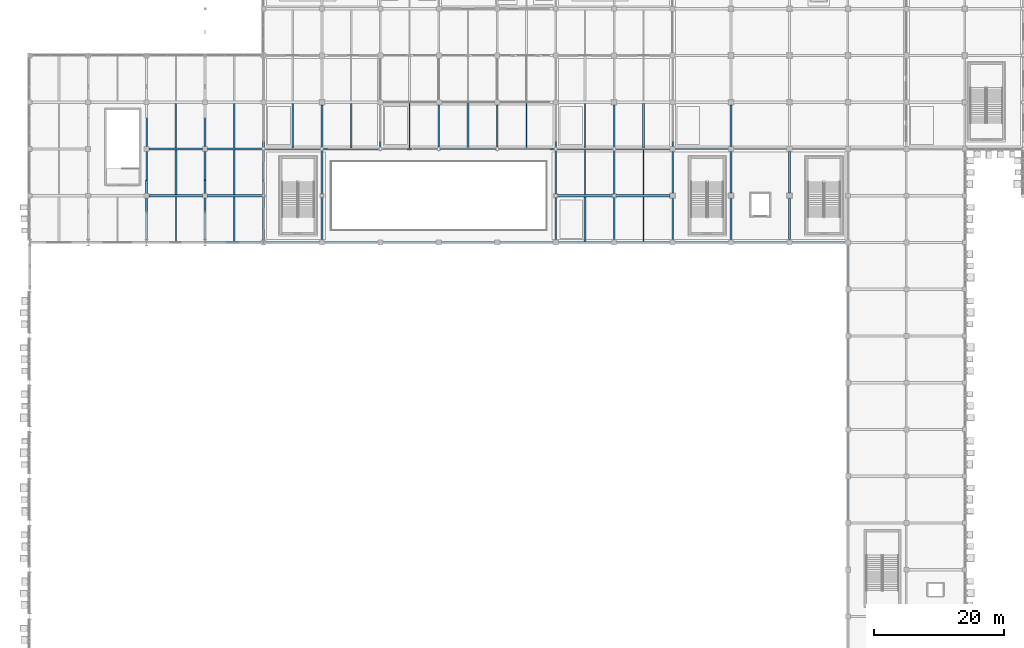
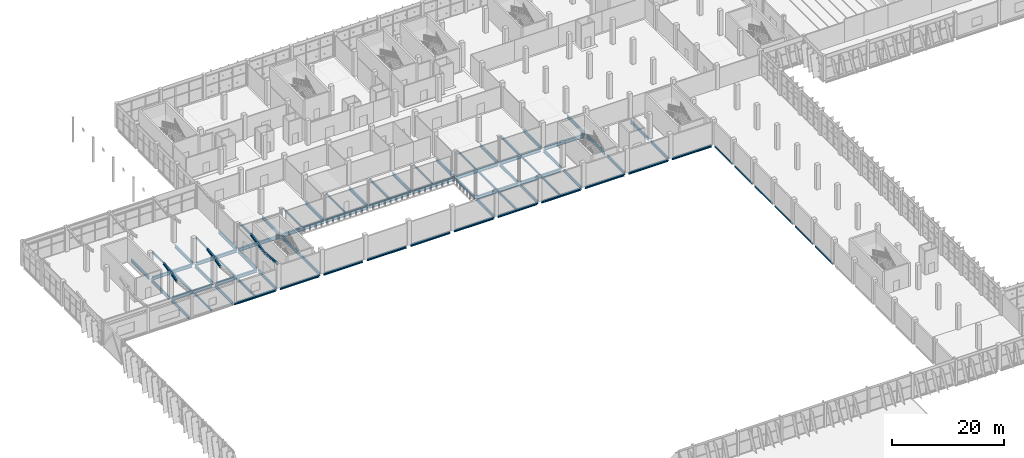
# One storey, part 40 of 189: 77 beams, 4 members.
"""IFC4 building model written with IfcOpenShell, lengths in metres."""

from ifc_helpers import new_model, si_unit, direction, frame, origin, origin_2d, place, context, subcontext, project, spatial, hollow_rectangle, i_section, extrude, material, material_profile, profile_set, type_object, element, save


model = new_model("IFC4")

# Units and contexts
model_context = context("Model", 3, precision=1e-05, world=origin(), true_north=direction((0.0, 1.0)))
body_context = subcontext(model_context, "Body", "Model", "MODEL_VIEW")
ifc_project = project(units=[si_unit("LENGTHUNIT", "METRE"), si_unit("AREAUNIT", "SQUARE_METRE"), si_unit("VOLUMEUNIT", "CUBIC_METRE"), si_unit("PLANEANGLEUNIT", "RADIAN"), si_unit("MASSUNIT", "GRAM", prefix="KILO")], contexts=[model_context])

# Site, building, storey
site_placement = place(None, origin())
site = spatial("IfcSite", under=ifc_project, at=site_placement, CompositionType="ELEMENT")
building_placement = place(site_placement, origin())
building = spatial("IfcBuilding", under=site, at=building_placement, Name="Celestram Park Convention Centre", CompositionType="ELEMENT")
storey_placement = place(building_placement, frame((0.0, 0.0, 5.39990234375)))
storey = spatial("IfcBuildingStorey", under=building, at=storey_placement, Name="L01", CompositionType="ELEMENT", Elevation=5.39990234375)

# Beams
ifc_material_1 = material(Name="Steel ASTM A992 Grade 50", Category="steel")
ifc_material_profile_1 = material_profile(ifc_material_1, i_section(OverallWidth=0.35595703125, OverallDepth=0.696044921875, WebThickness=0.015380859375, FlangeThickness=0.02490234375, at=origin_2d()), Name="W27X146")
ifc_profile_set_1 = profile_set([ifc_material_profile_1], Name="Steel ASTM A992 Grade 50")
beam_type_1 = type_object("IfcBeamType", Name="STR-BM-W27X146", PredefinedType="BEAM", material=ifc_profile_set_1)
for number, where, z_axis, x_axis, name in (
    (1, (18.39794921875, 115.199951171875, -0.6279296875), (1.0, 0.0, 0.0), (0.0, 1.0, 0.0), "Primary X-girder BG-L01-0020"),
    (2, (18.39794921875, 122.39990234375, -0.6279296875), (1.0, 0.0, 0.0), (0.0, 1.0, 0.0), "Primary X-girder BG-L01-0022"),
):
    element("IfcBeam", number, at=place(storey_placement, frame(where, z_axis=z_axis, x_axis=x_axis)), inside=storey, type_object=beam_type_1, Name=name, PredefinedType="BEAM", context=body_context, shape_type="SweptSolid", body=[
        extrude(i_section(OverallWidth=0.35595703125, OverallDepth=0.696044921875, WebThickness=0.015380859375, FlangeThickness=0.02490234375, at=origin_2d()), origin(), (0.0, 0.0, 1.0), 8.2041015625),
    ])
for number, where, z_axis, x_axis, name in (
    (3, (27.39794921875, 115.199951171875, -0.6279296875), (1.0, 0.0, 0.0), (0.0, 1.0, 0.0), "Primary X-girder BG-L01-0029"),
    (4, (27.39794921875, 122.39990234375, -0.6279296875), (1.0, 0.0, 0.0), (0.0, 1.0, 0.0), "Primary X-girder BG-L01-0031"),
):
    element("IfcBeam", number, at=place(storey_placement, frame(where, z_axis=z_axis, x_axis=x_axis)), inside=storey, type_object=beam_type_1, Name=name, PredefinedType="BEAM", context=body_context, shape_type="SweptSolid", body=[
        extrude(i_section(OverallWidth=0.35595703125, OverallDepth=0.696044921875, WebThickness=0.015380859375, FlangeThickness=0.02490234375, at=origin_2d()), origin(), (0.0, 0.0, 1.0), 8.419189453125),
    ])
for number, where, z_axis, x_axis, name in (
    (5, (36.182861328125, 122.39990234375, -0.6279296875), (1.0, 0.0, 0.0), (0.0, 1.0, 0.0), "Primary X-girder BG-L01-0046"),
    (6, (45.182861328125, 122.39990234375, -0.6279296875), (1.0, 0.0, 0.0), (0.0, 1.0, 0.0), "Primary X-girder BG-L01-0067"),
    (7, (54.182861328125, 122.39990234375, -0.6279296875), (1.0, 0.0, 0.0), (0.0, 1.0, 0.0), "Primary X-girder BG-L01-0088"),
    (8, (63.182861328125, 122.39990234375, -0.6279296875), (1.0, 0.0, 0.0), (0.0, 1.0, 0.0), "Primary X-girder BG-L01-0109"),
    (9, (72.182861328125, 122.39990234375, -0.6279296875), (1.0, 0.0, 0.0), (0.0, 1.0, 0.0), "Primary X-girder BG-L01-0128"),
    (10, (81.182861328125, 115.199951171875, -0.6279296875), (1.0, 0.0, 0.0), (0.0, 1.0, 0.0), "Primary X-girder BG-L01-0150"),
    (11, (81.182861328125, 122.39990234375, -0.6279296875), (1.0, 0.0, 0.0), (0.0, 1.0, 0.0), "Primary X-girder BG-L01-0152"),
):
    element("IfcBeam", number, at=place(storey_placement, frame(where, z_axis=z_axis, x_axis=x_axis)), inside=storey, type_object=beam_type_1, Name=name, PredefinedType="BEAM", context=body_context, shape_type="SweptSolid", body=[
        extrude(i_section(OverallWidth=0.35595703125, OverallDepth=0.696044921875, WebThickness=0.015380859375, FlangeThickness=0.02490234375, at=origin_2d()), origin(), (0.0, 0.0, 1.0), 8.63427734375),
    ])
for number, where, z_axis, x_axis, name in (
    (12, (90.182861328125, 115.199951171875, -0.6279296875), (1.0, 0.0, 0.0), (0.0, 1.0, 0.0), "Primary X-girder BG-L01-0172"),
    (13, (90.182861328125, 122.39990234375, -0.6279296875), (1.0, 0.0, 0.0), (0.0, 1.0, 0.0), "Primary X-girder BG-L01-0174"),
):
    element("IfcBeam", number, at=place(storey_placement, frame(where, z_axis=z_axis, x_axis=x_axis)), inside=storey, type_object=beam_type_1, Name=name, PredefinedType="BEAM", context=body_context, shape_type="SweptSolid", body=[
        extrude(i_section(OverallWidth=0.35595703125, OverallDepth=0.696044921875, WebThickness=0.015380859375, FlangeThickness=0.02490234375, at=origin_2d()), origin(), (0.0, 0.0, 1.0), 8.419189453125),
    ])
beam_1_placement = place(storey_placement, frame((99.39794921875, 122.39990234375, -0.6279296875), z_axis=(1.0, 0.0, 0.0), x_axis=(0.0, 1.0, 0.0)))
element("IfcBeam", 14, at=beam_1_placement, inside=storey, type_object=beam_type_1, Name="Primary X-girder BG-L01-0195", PredefinedType="BEAM", context=body_context, shape_type="SweptSolid", body=[
    extrude(i_section(OverallWidth=0.35595703125, OverallDepth=0.696044921875, WebThickness=0.015380859375, FlangeThickness=0.02490234375, at=origin_2d()), origin(), (0.0, 0.0, 1.0), 8.2041015625),
])
ifc_material_profile_2 = material_profile(ifc_material_1, i_section(OverallWidth=0.25390625, OverallDepth=0.68310546875, WebThickness=0.012451171875, FlangeThickness=0.01904296875, at=origin_2d()), Name="W27X94")
ifc_profile_set_2 = profile_set([ifc_material_profile_2], Name="Steel ASTM A992 Grade 50")
beam_type_2 = type_object("IfcBeamType", Name="STR-BM-W27X94", PredefinedType="BEAM", material=ifc_profile_set_2)
beam_2_placement = place(storey_placement, frame((18.0, 108.464111328125, -0.621337890625), z_axis=(0.0, 1.0, 0.0), x_axis=(-1.0, 0.0, 0.0)))
element("IfcBeam", 15, at=beam_2_placement, inside=storey, type_object=beam_type_2, Name="Primary Y-girder BG-L01-0019", PredefinedType="BEAM", context=body_context, shape_type="SweptSolid", body=[
    extrude(i_section(OverallWidth=0.25390625, OverallDepth=0.68310546875, WebThickness=0.012451171875, FlangeThickness=0.01904296875, at=origin_2d()), origin(), (0.0, 0.0, 1.0), 6.337890625),
])
beam_3_placement = place(storey_placement, frame((18.0, 115.597900390625, -0.621337890625), z_axis=(0.0, 1.0, 0.0), x_axis=(-1.0, 0.0, 0.0)))
element("IfcBeam", 16, at=beam_3_placement, inside=storey, type_object=beam_type_2, Name="Primary Y-girder BG-L01-0021", PredefinedType="BEAM", context=body_context, shape_type="SweptSolid", body=[
    extrude(i_section(OverallWidth=0.25390625, OverallDepth=0.68310546875, WebThickness=0.012451171875, FlangeThickness=0.01904296875, at=origin_2d()), origin(), (0.0, 0.0, 1.0), 6.404052734375),
])
beam_4_placement = place(storey_placement, frame((18.0, 122.798095703125, -0.621337890625), z_axis=(0.0, 1.0, 0.0), x_axis=(-1.0, 0.0, 0.0)))
element("IfcBeam", 17, at=beam_4_placement, inside=storey, type_object=beam_type_2, Name="Primary Y-girder BG-L01-0023", PredefinedType="BEAM", context=body_context, shape_type="SweptSolid", body=[
    extrude(i_section(OverallWidth=0.25390625, OverallDepth=0.68310546875, WebThickness=0.012451171875, FlangeThickness=0.01904296875, at=origin_2d()), origin(), (0.0, 0.0, 1.0), 6.40380859375),
])
beam_5_placement = place(storey_placement, frame((27.0, 108.464111328125, -0.621337890625), z_axis=(0.0, 1.0, 0.0), x_axis=(-1.0, 0.0, 0.0)))
element("IfcBeam", 18, at=beam_5_placement, inside=storey, type_object=beam_type_2, Name="Primary Y-girder BG-L01-0028", PredefinedType="BEAM", context=body_context, shape_type="SweptSolid", body=[
    extrude(i_section(OverallWidth=0.25390625, OverallDepth=0.68310546875, WebThickness=0.012451171875, FlangeThickness=0.01904296875, at=origin_2d()), origin(), (0.0, 0.0, 1.0), 6.337890625),
])
beam_6_placement = place(storey_placement, frame((27.0, 115.597900390625, -0.621337890625), z_axis=(0.0, 1.0, 0.0), x_axis=(-1.0, 0.0, 0.0)))
element("IfcBeam", 19, at=beam_6_placement, inside=storey, type_object=beam_type_2, Name="Primary Y-girder BG-L01-0030", PredefinedType="BEAM", context=body_context, shape_type="SweptSolid", body=[
    extrude(i_section(OverallWidth=0.25390625, OverallDepth=0.68310546875, WebThickness=0.012451171875, FlangeThickness=0.01904296875, at=origin_2d()), origin(), (0.0, 0.0, 1.0), 6.404052734375),
])
beam_7_placement = place(storey_placement, frame((27.0, 122.798095703125, -0.621337890625), z_axis=(0.0, 1.0, 0.0), x_axis=(-1.0, 0.0, 0.0)))
element("IfcBeam", 20, at=beam_7_placement, inside=storey, type_object=beam_type_2, Name="Primary Y-girder BG-L01-0032", PredefinedType="BEAM", context=body_context, shape_type="SweptSolid", body=[
    extrude(i_section(OverallWidth=0.25390625, OverallDepth=0.68310546875, WebThickness=0.012451171875, FlangeThickness=0.01904296875, at=origin_2d()), origin(), (0.0, 0.0, 1.0), 6.40380859375),
])
beam_8_placement = place(storey_placement, frame((36.0, 108.447998046875, -0.621337890625), z_axis=(0.0, 1.0, 0.0), x_axis=(-1.0, 0.0, 0.0)))
element("IfcBeam", 21, at=beam_8_placement, inside=storey, type_object=beam_type_2, Name="Primary Y-girder BG-L01-0044", PredefinedType="BEAM", context=body_context, shape_type="SweptSolid", body=[
    extrude(i_section(OverallWidth=0.25390625, OverallDepth=0.68310546875, WebThickness=0.012451171875, FlangeThickness=0.01904296875, at=origin_2d()), origin(), (0.0, 0.0, 1.0), 6.569091796875),
])
beam_9_placement = place(storey_placement, frame((36.0, 115.3828125, -0.621337890625), z_axis=(0.0, 1.0, 0.0), x_axis=(-1.0, 0.0, 0.0)))
element("IfcBeam", 22, at=beam_9_placement, inside=storey, type_object=beam_type_2, Name="Primary Y-girder BG-L01-0045", PredefinedType="BEAM", context=body_context, shape_type="SweptSolid", body=[
    extrude(i_section(OverallWidth=0.25390625, OverallDepth=0.68310546875, WebThickness=0.012451171875, FlangeThickness=0.01904296875, at=origin_2d()), origin(), (0.0, 0.0, 1.0), 6.834228515625),
])
beam_10_placement = place(storey_placement, frame((36.0, 122.5830078125, -0.621337890625), z_axis=(0.0, 1.0, 0.0), x_axis=(-1.0, 0.0, 0.0)))
element("IfcBeam", 23, at=beam_10_placement, inside=storey, type_object=beam_type_2, Name="Primary Y-girder BG-L01-0047", PredefinedType="BEAM", context=body_context, shape_type="SweptSolid", body=[
    extrude(i_section(OverallWidth=0.25390625, OverallDepth=0.68310546875, WebThickness=0.012451171875, FlangeThickness=0.01904296875, at=origin_2d()), origin(), (0.0, 0.0, 1.0), 6.618896484375),
])
beam_11_placement = place(storey_placement, frame((45.0, 108.447998046875, -0.621337890625), z_axis=(0.0, 1.0, 0.0), x_axis=(-1.0, 0.0, 0.0)))
element("IfcBeam", 24, at=beam_11_placement, inside=storey, type_object=beam_type_2, Name="Primary Y-girder BG-L01-0065", PredefinedType="BEAM", context=body_context, shape_type="SweptSolid", body=[
    extrude(i_section(OverallWidth=0.25390625, OverallDepth=0.68310546875, WebThickness=0.012451171875, FlangeThickness=0.01904296875, at=origin_2d()), origin(), (0.0, 0.0, 1.0), 6.569091796875),
])
beam_12_placement = place(storey_placement, frame((45.0, 115.3828125, -0.621337890625), z_axis=(0.0, 1.0, 0.0), x_axis=(-1.0, 0.0, 0.0)))
element("IfcBeam", 25, at=beam_12_placement, inside=storey, type_object=beam_type_2, Name="Primary Y-girder BG-L01-0066", PredefinedType="BEAM", context=body_context, shape_type="SweptSolid", body=[
    extrude(i_section(OverallWidth=0.25390625, OverallDepth=0.68310546875, WebThickness=0.012451171875, FlangeThickness=0.01904296875, at=origin_2d()), origin(), (0.0, 0.0, 1.0), 6.834228515625),
])
for number, where, z_axis, x_axis, name in (
    (26, (45.0, 122.5830078125, -0.621337890625), (0.0, 1.0, 0.0), (-1.0, 0.0, 0.0), "Primary Y-girder BG-L01-0068"),
    (27, (54.0, 122.5830078125, -0.621337890625), (0.0, 1.0, 0.0), (-1.0, 0.0, 0.0), "Primary Y-girder BG-L01-0089"),
    (28, (63.0, 122.5830078125, -0.621337890625), (0.0, 1.0, 0.0), (-1.0, 0.0, 0.0), "Primary Y-girder BG-L01-0110"),
    (29, (72.0, 122.5830078125, -0.621337890625), (0.0, 1.0, 0.0), (-1.0, 0.0, 0.0), "Primary Y-girder BG-L01-0129"),
):
    element("IfcBeam", number, at=place(storey_placement, frame(where, z_axis=z_axis, x_axis=x_axis)), inside=storey, type_object=beam_type_2, Name=name, PredefinedType="BEAM", context=body_context, shape_type="SweptSolid", body=[
        extrude(i_section(OverallWidth=0.25390625, OverallDepth=0.68310546875, WebThickness=0.012451171875, FlangeThickness=0.01904296875, at=origin_2d()), origin(), (0.0, 0.0, 1.0), 6.618896484375),
    ])
beam_13_placement = place(storey_placement, frame((81.0, 108.447998046875, -0.621337890625), z_axis=(0.0, 1.0, 0.0), x_axis=(-1.0, 0.0, 0.0)))
element("IfcBeam", 30, at=beam_13_placement, inside=storey, type_object=beam_type_2, Name="Primary Y-girder BG-L01-0149", PredefinedType="BEAM", context=body_context, shape_type="SweptSolid", body=[
    extrude(i_section(OverallWidth=0.25390625, OverallDepth=0.68310546875, WebThickness=0.012451171875, FlangeThickness=0.01904296875, at=origin_2d()), origin(), (0.0, 0.0, 1.0), 6.569091796875),
])
beam_14_placement = place(storey_placement, frame((81.0, 115.3828125, -0.621337890625), z_axis=(0.0, 1.0, 0.0), x_axis=(-1.0, 0.0, 0.0)))
element("IfcBeam", 31, at=beam_14_placement, inside=storey, type_object=beam_type_2, Name="Primary Y-girder BG-L01-0151", PredefinedType="BEAM", context=body_context, shape_type="SweptSolid", body=[
    extrude(i_section(OverallWidth=0.25390625, OverallDepth=0.68310546875, WebThickness=0.012451171875, FlangeThickness=0.01904296875, at=origin_2d()), origin(), (0.0, 0.0, 1.0), 6.834228515625),
])
beam_15_placement = place(storey_placement, frame((81.0, 122.5830078125, -0.621337890625), z_axis=(0.0, 1.0, 0.0), x_axis=(-1.0, 0.0, 0.0)))
element("IfcBeam", 32, at=beam_15_placement, inside=storey, type_object=beam_type_2, Name="Primary Y-girder BG-L01-0153", PredefinedType="BEAM", context=body_context, shape_type="SweptSolid", body=[
    extrude(i_section(OverallWidth=0.25390625, OverallDepth=0.68310546875, WebThickness=0.012451171875, FlangeThickness=0.01904296875, at=origin_2d()), origin(), (0.0, 0.0, 1.0), 6.618896484375),
])
beam_16_placement = place(storey_placement, frame((90.0, 108.447998046875, -0.621337890625), z_axis=(0.0, 1.0, 0.0), x_axis=(-1.0, 0.0, 0.0)))
element("IfcBeam", 33, at=beam_16_placement, inside=storey, type_object=beam_type_2, Name="Primary Y-girder BG-L01-0171", PredefinedType="BEAM", context=body_context, shape_type="SweptSolid", body=[
    extrude(i_section(OverallWidth=0.25390625, OverallDepth=0.68310546875, WebThickness=0.012451171875, FlangeThickness=0.01904296875, at=origin_2d()), origin(), (0.0, 0.0, 1.0), 6.569091796875),
])
beam_17_placement = place(storey_placement, frame((90.0, 115.3828125, -0.621337890625), z_axis=(0.0, 1.0, 0.0), x_axis=(-1.0, 0.0, 0.0)))
element("IfcBeam", 34, at=beam_17_placement, inside=storey, type_object=beam_type_2, Name="Primary Y-girder BG-L01-0173", PredefinedType="BEAM", context=body_context, shape_type="SweptSolid", body=[
    extrude(i_section(OverallWidth=0.25390625, OverallDepth=0.68310546875, WebThickness=0.012451171875, FlangeThickness=0.01904296875, at=origin_2d()), origin(), (0.0, 0.0, 1.0), 6.834228515625),
])
beam_18_placement = place(storey_placement, frame((90.0, 122.5830078125, -0.621337890625), z_axis=(0.0, 1.0, 0.0), x_axis=(-1.0, 0.0, 0.0)))
element("IfcBeam", 35, at=beam_18_placement, inside=storey, type_object=beam_type_2, Name="Primary Y-girder BG-L01-0175", PredefinedType="BEAM", context=body_context, shape_type="SweptSolid", body=[
    extrude(i_section(OverallWidth=0.25390625, OverallDepth=0.68310546875, WebThickness=0.012451171875, FlangeThickness=0.01904296875, at=origin_2d()), origin(), (0.0, 0.0, 1.0), 6.618896484375),
])
beam_19_placement = place(storey_placement, frame((99.0, 108.447998046875, -0.621337890625), z_axis=(0.0, 1.0, 0.0), x_axis=(-1.0, 0.0, 0.0)))
element("IfcBeam", 36, at=beam_19_placement, inside=storey, type_object=beam_type_2, Name="Primary Y-girder BG-L01-0193", PredefinedType="BEAM", context=body_context, shape_type="SweptSolid", body=[
    extrude(i_section(OverallWidth=0.25390625, OverallDepth=0.68310546875, WebThickness=0.012451171875, FlangeThickness=0.01904296875, at=origin_2d()), origin(), (0.0, 0.0, 1.0), 6.35400390625),
])
beam_20_placement = place(storey_placement, frame((99.0, 115.597900390625, -0.621337890625), z_axis=(0.0, 1.0, 0.0), x_axis=(-1.0, 0.0, 0.0)))
element("IfcBeam", 37, at=beam_20_placement, inside=storey, type_object=beam_type_2, Name="Primary Y-girder BG-L01-0194", PredefinedType="BEAM", context=body_context, shape_type="SweptSolid", body=[
    extrude(i_section(OverallWidth=0.25390625, OverallDepth=0.68310546875, WebThickness=0.012451171875, FlangeThickness=0.01904296875, at=origin_2d()), origin(), (0.0, 0.0, 1.0), 6.404052734375),
])
beam_21_placement = place(storey_placement, frame((99.0, 122.798095703125, -0.621337890625), z_axis=(0.0, 1.0, 0.0), x_axis=(-1.0, 0.0, 0.0)))
element("IfcBeam", 38, at=beam_21_placement, inside=storey, type_object=beam_type_2, Name="Primary Y-girder BG-L01-0196", PredefinedType="BEAM", context=body_context, shape_type="SweptSolid", body=[
    extrude(i_section(OverallWidth=0.25390625, OverallDepth=0.68310546875, WebThickness=0.012451171875, FlangeThickness=0.01904296875, at=origin_2d()), origin(), (0.0, 0.0, 1.0), 6.40380859375),
])
beam_22_placement = place(storey_placement, frame((108.0, 108.447998046875, -0.621337890625), z_axis=(0.0, 1.0, 0.0), x_axis=(-1.0, 0.0, 0.0)))
element("IfcBeam", 39, at=beam_22_placement, inside=storey, type_object=beam_type_2, Name="Primary Y-girder BG-L01-0216", PredefinedType="BEAM", context=body_context, shape_type="SweptSolid", body=[
    extrude(i_section(OverallWidth=0.25390625, OverallDepth=0.68310546875, WebThickness=0.012451171875, FlangeThickness=0.01904296875, at=origin_2d()), origin(), (0.0, 0.0, 1.0), 6.35400390625),
])
beam_23_placement = place(storey_placement, frame((108.0, 115.597900390625, -0.621337890625), z_axis=(0.0, 1.0, 0.0), x_axis=(-1.0, 0.0, 0.0)))
element("IfcBeam", 40, at=beam_23_placement, inside=storey, type_object=beam_type_2, Name="Primary Y-girder BG-L01-0217", PredefinedType="BEAM", context=body_context, shape_type="SweptSolid", body=[
    extrude(i_section(OverallWidth=0.25390625, OverallDepth=0.68310546875, WebThickness=0.012451171875, FlangeThickness=0.01904296875, at=origin_2d()), origin(), (0.0, 0.0, 1.0), 6.404052734375),
])
beam_24_placement = place(storey_placement, frame((108.0, 122.798095703125, -0.621337890625), z_axis=(0.0, 1.0, 0.0), x_axis=(-1.0, 0.0, 0.0)))
element("IfcBeam", 41, at=beam_24_placement, inside=storey, type_object=beam_type_2, Name="Primary Y-girder BG-L01-0219", PredefinedType="BEAM", context=body_context, shape_type="SweptSolid", body=[
    extrude(i_section(OverallWidth=0.25390625, OverallDepth=0.68310546875, WebThickness=0.012451171875, FlangeThickness=0.01904296875, at=origin_2d()), origin(), (0.0, 0.0, 1.0), 6.40380859375),
])
beam_25_placement = place(storey_placement, frame((117.0, 108.447998046875, -0.621337890625), z_axis=(0.0, 1.0, 0.0), x_axis=(-1.0, 0.0, 0.0)))
element("IfcBeam", 42, at=beam_25_placement, inside=storey, type_object=beam_type_2, Name="Primary Y-girder BG-L01-0233", PredefinedType="BEAM", context=body_context, shape_type="SweptSolid", body=[
    extrude(i_section(OverallWidth=0.25390625, OverallDepth=0.68310546875, WebThickness=0.012451171875, FlangeThickness=0.01904296875, at=origin_2d()), origin(), (0.0, 0.0, 1.0), 6.35400390625),
])
beam_26_placement = place(storey_placement, frame((117.0, 115.597900390625, -0.621337890625), z_axis=(0.0, 1.0, 0.0), x_axis=(-1.0, 0.0, 0.0)))
element("IfcBeam", 43, at=beam_26_placement, inside=storey, type_object=beam_type_2, Name="Primary Y-girder BG-L01-0234", PredefinedType="BEAM", context=body_context, shape_type="SweptSolid", body=[
    extrude(i_section(OverallWidth=0.25390625, OverallDepth=0.68310546875, WebThickness=0.012451171875, FlangeThickness=0.01904296875, at=origin_2d()), origin(), (0.0, 0.0, 1.0), 6.404052734375),
])

# Members
ifc_material_profile_3 = material_profile(ifc_material_1, i_section(OverallWidth=0.281982421875, OverallDepth=0.467041015625, WebThickness=0.01220703125, FlangeThickness=0.01953125, at=origin_2d()), Name="W18X86")
ifc_profile_set_3 = profile_set([ifc_material_profile_3], Name="Steel ASTM A992 Grade 50")
member_type = type_object("IfcMemberType", Name="STR-CHD-W18X86", PredefinedType="CHORD", material=ifc_profile_set_3)
for number, where, z_axis, x_axis, name in (
    (44, (18.0, 112.800048828125, 4.680908203125), (0.0, 0.976198741481, 0.216877885295), (-1.0, 0.0, 0.0), "WPV arch bottom chord"),
    (45, (27.0, 112.800048828125, 4.680908203125), (0.0, 0.976198741481, 0.216877885295), (-1.0, 0.0, 0.0), "WPV arch bottom chord"),
):
    element("IfcMember", number, at=place(storey_placement, frame(where, z_axis=z_axis, x_axis=x_axis)), inside=storey, type_object=member_type, Name=name, PredefinedType="CHORD", context=body_context, shape_type="SweptSolid", body=[
        extrude(i_section(OverallWidth=0.281982421875, OverallDepth=0.467041015625, WebThickness=0.01220703125, FlangeThickness=0.01953125, at=origin_2d()), origin(), (0.0, 0.0, 1.0), 4.9169921875),
    ])
member_1_placement = place(storey_placement, frame((36.0, 108.0, 5.1640625), z_axis=(0.0, 0.994972344387, -0.100150056942), x_axis=(-1.0, 0.0, 0.0)))
element("IfcMember", 46, at=member_1_placement, inside=storey, type_object=member_type, Name="WPV arch bottom chord", PredefinedType="CHORD", context=body_context, shape_type="SweptSolid", body=[
    extrude(i_section(OverallWidth=0.281982421875, OverallDepth=0.467041015625, WebThickness=0.01220703125, FlangeThickness=0.01953125, at=origin_2d()), origin(), (0.0, 0.0, 1.0), 4.82421875),
])
member_2_placement = place(storey_placement, frame((36.0, 112.800048828125, 4.680908203125), z_axis=(0.0, 0.976198741481, 0.216877885295), x_axis=(-1.0, 0.0, 0.0)))
element("IfcMember", 47, at=member_2_placement, inside=storey, type_object=member_type, Name="WPV arch bottom chord", PredefinedType="CHORD", context=body_context, shape_type="SweptSolid", body=[
    extrude(i_section(OverallWidth=0.281982421875, OverallDepth=0.467041015625, WebThickness=0.01220703125, FlangeThickness=0.01953125, at=origin_2d()), origin(), (0.0, 0.0, 1.0), 4.9169921875),
])

# Beams
ifc_material_profile_4 = material_profile(ifc_material_1, i_section(OverallWidth=0.177978515625, OverallDepth=0.406005859375, WebThickness=0.0078125, FlangeThickness=0.0126953125, at=origin_2d()), Name="W16X40")
ifc_profile_set_4 = profile_set([ifc_material_profile_4], Name="Steel ASTM A992 Grade 50")
beam_type_3 = type_object("IfcBeamType", Name="STR-JST-W16X40", PredefinedType="JOIST", material=ifc_profile_set_4)
beam_27_placement = place(storey_placement, frame((22.5, 108.181884765625, -0.48291015625), z_axis=(0.0, 1.0, 0.0), x_axis=(-1.0, 0.0, 0.0)))
element("IfcBeam", 48, at=beam_27_placement, inside=storey, type_object=beam_type_3, Name="Secondary composite joist BG-L01-0551", PredefinedType="JOIST", context=body_context, shape_type="SweptSolid", body=[
    extrude(i_section(OverallWidth=0.177978515625, OverallDepth=0.406005859375, WebThickness=0.0078125, FlangeThickness=0.0126953125, at=origin_2d()), origin(), (0.0, 0.0, 1.0), 6.843994140625),
])
for number, where, z_axis, x_axis, name in (
    (49, (31.5, 122.573974609375, -0.48291015625), (0.0, 1.0, 0.0), (-1.0, 0.0, 0.0), "Secondary composite joist BG-L01-0557"),
    (50, (58.5, 122.573974609375, -0.48291015625), (0.0, 1.0, 0.0), (-1.0, 0.0, 0.0), "Secondary composite joist BG-L01-0576"),
    (51, (85.5, 122.573974609375, -0.48291015625), (0.0, 1.0, 0.0), (-1.0, 0.0, 0.0), "Secondary composite joist BG-L01-0602"),
    (52, (94.5, 115.3740234375, -0.48291015625), (0.0, 1.0, 0.0), (-1.0, 0.0, 0.0), "Secondary composite joist BG-L01-0609"),
):
    element("IfcBeam", number, at=place(storey_placement, frame(where, z_axis=z_axis, x_axis=x_axis)), inside=storey, type_object=beam_type_3, Name=name, PredefinedType="JOIST", context=body_context, shape_type="SweptSolid", body=[
        extrude(i_section(OverallWidth=0.177978515625, OverallDepth=0.406005859375, WebThickness=0.0078125, FlangeThickness=0.0126953125, at=origin_2d()), origin(), (0.0, 0.0, 1.0), 6.85205078125),
    ])
ifc_material_profile_5 = material_profile(ifc_material_1, i_section(OverallWidth=0.19091796875, OverallDepth=0.45703125, WebThickness=0.009033203125, FlangeThickness=0.014404296875, at=origin_2d()), Name="W18X50")
ifc_profile_set_5 = profile_set([ifc_material_profile_5], Name="Steel ASTM A992 Grade 50")
beam_type_4 = type_object("IfcBeamType", Name="STR-JST-W18X50", PredefinedType="JOIST", material=ifc_profile_set_5)
for number, where, z_axis, x_axis, name in (
    (53, (22.5, 122.573974609375, -0.50830078125), (0.0, 1.0, 0.0), (-1.0, 0.0, 0.0), "Secondary composite joist BG-L01-0553"),
    (54, (31.5, 115.3740234375, -0.50830078125), (0.0, 1.0, 0.0), (-1.0, 0.0, 0.0), "Secondary composite joist BG-L01-0556"),
    (55, (49.5, 122.573974609375, -0.50830078125), (0.0, 1.0, 0.0), (-1.0, 0.0, 0.0), "Secondary composite joist BG-L01-0568"),
    (56, (76.5, 122.573974609375, -0.50830078125), (0.0, 1.0, 0.0), (-1.0, 0.0, 0.0), "Secondary composite joist BG-L01-0591"),
    (57, (85.5, 115.3740234375, -0.50830078125), (0.0, 1.0, 0.0), (-1.0, 0.0, 0.0), "Secondary composite joist BG-L01-0601"),
):
    element("IfcBeam", number, at=place(storey_placement, frame(where, z_axis=z_axis, x_axis=x_axis)), inside=storey, type_object=beam_type_4, Name=name, PredefinedType="JOIST", context=body_context, shape_type="SweptSolid", body=[
        extrude(i_section(OverallWidth=0.19091796875, OverallDepth=0.45703125, WebThickness=0.009033203125, FlangeThickness=0.014404296875, at=origin_2d()), origin(), (0.0, 0.0, 1.0), 6.85205078125),
    ])
beam_28_placement = place(storey_placement, frame((94.5, 108.181884765625, -0.50830078125), z_axis=(0.0, 1.0, 0.0), x_axis=(-1.0, 0.0, 0.0)))
element("IfcBeam", 58, at=beam_28_placement, inside=storey, type_object=beam_type_4, Name="Secondary composite joist BG-L01-0608", PredefinedType="JOIST", context=body_context, shape_type="SweptSolid", body=[
    extrude(i_section(OverallWidth=0.19091796875, OverallDepth=0.45703125, WebThickness=0.009033203125, FlangeThickness=0.014404296875, at=origin_2d()), origin(), (0.0, 0.0, 1.0), 6.843994140625),
])
ifc_material_profile_6 = material_profile(ifc_material_1, i_section(OverallWidth=0.281982421875, OverallDepth=0.467041015625, WebThickness=0.01220703125, FlangeThickness=0.01953125, at=origin_2d()), Name="W18X86")
ifc_profile_set_6 = profile_set([ifc_material_profile_6], Name="Steel ASTM A992 Grade 50")
beam_type_5 = type_object("IfcBeamType", Name="STR-JST-W18X86", PredefinedType="JOIST", material=ifc_profile_set_6)
beam_29_placement = place(storey_placement, frame((22.5, 115.3740234375, -0.513427734375), z_axis=(0.0, 1.0, 0.0), x_axis=(-1.0, 0.0, 0.0)))
element("IfcBeam", 59, at=beam_29_placement, inside=storey, type_object=beam_type_5, Name="Secondary composite joist BG-L01-0552", PredefinedType="JOIST", context=body_context, shape_type="SweptSolid", body=[
    extrude(i_section(OverallWidth=0.281982421875, OverallDepth=0.467041015625, WebThickness=0.01220703125, FlangeThickness=0.01953125, at=origin_2d()), origin(), (0.0, 0.0, 1.0), 6.85205078125),
])
beam_30_placement = place(storey_placement, frame((31.5, 108.181884765625, -0.513427734375), z_axis=(0.0, 1.0, 0.0), x_axis=(-1.0, 0.0, 0.0)))
element("IfcBeam", 60, at=beam_30_placement, inside=storey, type_object=beam_type_5, Name="Secondary composite joist BG-L01-0555", PredefinedType="JOIST", context=body_context, shape_type="SweptSolid", body=[
    extrude(i_section(OverallWidth=0.281982421875, OverallDepth=0.467041015625, WebThickness=0.01220703125, FlangeThickness=0.01953125, at=origin_2d()), origin(), (0.0, 0.0, 1.0), 6.843994140625),
])
for number, where, z_axis, x_axis, name in (
    (61, (40.5, 122.573974609375, -0.513427734375), (0.0, 1.0, 0.0), (-1.0, 0.0, 0.0), "Secondary composite joist BG-L01-0562"),
    (62, (67.5, 122.573974609375, -0.513427734375), (0.0, 1.0, 0.0), (-1.0, 0.0, 0.0), "Secondary composite joist BG-L01-0585"),
):
    element("IfcBeam", number, at=place(storey_placement, frame(where, z_axis=z_axis, x_axis=x_axis)), inside=storey, type_object=beam_type_5, Name=name, PredefinedType="JOIST", context=body_context, shape_type="SweptSolid", body=[
        extrude(i_section(OverallWidth=0.281982421875, OverallDepth=0.467041015625, WebThickness=0.01220703125, FlangeThickness=0.01953125, at=origin_2d()), origin(), (0.0, 0.0, 1.0), 6.85205078125),
    ])
beam_31_placement = place(storey_placement, frame((85.5, 108.181884765625, -0.513427734375), z_axis=(0.0, 1.0, 0.0), x_axis=(-1.0, 0.0, 0.0)))
element("IfcBeam", 63, at=beam_31_placement, inside=storey, type_object=beam_type_5, Name="Secondary composite joist BG-L01-0600", PredefinedType="JOIST", context=body_context, shape_type="SweptSolid", body=[
    extrude(i_section(OverallWidth=0.281982421875, OverallDepth=0.467041015625, WebThickness=0.01220703125, FlangeThickness=0.01953125, at=origin_2d()), origin(), (0.0, 0.0, 1.0), 6.843994140625),
])
beam_32_placement = place(storey_placement, frame((94.5, 122.573974609375, -0.513427734375), z_axis=(0.0, 1.0, 0.0), x_axis=(-1.0, 0.0, 0.0)))
element("IfcBeam", 64, at=beam_32_placement, inside=storey, type_object=beam_type_5, Name="Secondary composite joist BG-L01-0610", PredefinedType="JOIST", context=body_context, shape_type="SweptSolid", body=[
    extrude(i_section(OverallWidth=0.281982421875, OverallDepth=0.467041015625, WebThickness=0.01220703125, FlangeThickness=0.01953125, at=origin_2d()), origin(), (0.0, 0.0, 1.0), 6.85205078125),
])
ifc_material_2 = material(Name="Steel ASTM A500 Grade C", Category="steel")
ifc_material_profile_7 = material_profile(ifc_material_2, hollow_rectangle(XDim=0.199951171875, YDim=0.300048828125, WallThickness=0.011962890625, at=origin_2d()), Name="HSS300X200X12")
ifc_profile_set_7 = profile_set([ifc_material_profile_7], Name="Steel ASTM A500 Grade C")
beam_type_6 = type_object("IfcBeamType", Name="STR-SPN-HSS300X200", PredefinedType="SPANDREL", material=ifc_profile_set_7)
for number, where, z_axis, x_axis, name in (
    (65, (126.0, 65.248046875, -0.429931640625), (0.0, 1.0, 0.0), (-1.0, 0.0, 0.0), "Primary Y-girder BG-L01-0260"),
    (66, (126.0, 72.447998046875, -0.429931640625), (0.0, 1.0, 0.0), (-1.0, 0.0, 0.0), "Primary Y-girder BG-L01-0262"),
    (67, (126.0, 79.64794921875, -0.429931640625), (0.0, 1.0, 0.0), (-1.0, 0.0, 0.0), "Primary Y-girder BG-L01-0264"),
):
    element("IfcBeam", number, at=place(storey_placement, frame(where, z_axis=z_axis, x_axis=x_axis)), inside=storey, type_object=beam_type_6, Name=name, PredefinedType="SPANDREL", context=body_context, shape_type="SweptSolid", body=[
        extrude(hollow_rectangle(XDim=0.199951171875, YDim=0.300048828125, WallThickness=0.011962890625, at=origin_2d()), origin(), (0.0, 0.0, 1.0), 6.303955078125),
    ])
beam_33_placement = place(storey_placement, frame((126.0, 86.847900390625, -0.429931640625), z_axis=(0.0, 1.0, 0.0), x_axis=(-1.0, 0.0, 0.0)))
element("IfcBeam", 68, at=beam_33_placement, inside=storey, type_object=beam_type_6, Name="Primary Y-girder BG-L01-0266", PredefinedType="SPANDREL", context=body_context, shape_type="SweptSolid", body=[
    extrude(hollow_rectangle(XDim=0.199951171875, YDim=0.300048828125, WallThickness=0.011962890625, at=origin_2d()), origin(), (0.0, 0.0, 1.0), 6.30419921875),
])
for number, where, z_axis, x_axis, name in (
    (69, (126.0, 94.048095703125, -0.429931640625), (0.0, 1.0, 0.0), (-1.0, 0.0, 0.0), "Primary Y-girder BG-L01-0268"),
    (70, (126.0, 101.248046875, -0.429931640625), (0.0, 1.0, 0.0), (-1.0, 0.0, 0.0), "Primary Y-girder BG-L01-0270"),
):
    element("IfcBeam", number, at=place(storey_placement, frame(where, z_axis=z_axis, x_axis=x_axis)), inside=storey, type_object=beam_type_6, Name=name, PredefinedType="SPANDREL", context=body_context, shape_type="SweptSolid", body=[
        extrude(hollow_rectangle(XDim=0.199951171875, YDim=0.300048828125, WallThickness=0.011962890625, at=origin_2d()), origin(), (0.0, 0.0, 1.0), 6.303955078125),
    ])
ifc_material_profile_8 = material_profile(ifc_material_1, i_section(OverallWidth=0.373046875, OverallDepth=0.373046875, WebThickness=0.016357421875, FlangeThickness=0.026123046875, at=origin_2d()), Name="W14X132")
ifc_profile_set_8 = profile_set([ifc_material_profile_8], Name="Steel ASTM A992 Grade 50")
beam_type_7 = type_object("IfcBeamType", Name="STR-SPN-W14X132", PredefinedType="SPANDREL", material=ifc_profile_set_8)
beam_34_placement = place(storey_placement, frame((27.010009765625, 108.0, -0.46630859375), z_axis=(1.0, 0.0, 0.0), x_axis=(0.0, 1.0, 0.0)))
element("IfcBeam", 71, at=beam_34_placement, inside=storey, type_object=beam_type_7, Name="Primary X-girder BG-L01-0027", PredefinedType="SPANDREL", context=body_context, shape_type="SweptSolid", body=[
    extrude(i_section(OverallWidth=0.373046875, OverallDepth=0.373046875, WebThickness=0.016357421875, FlangeThickness=0.026123046875, at=origin_2d()), origin(), (0.0, 0.0, 1.0), 8.5419921875),
])
for number, where, z_axis, x_axis, name in (
    (72, (36.447998046875, 108.0, -0.46630859375), (1.0, 0.0, 0.0), (0.0, 1.0, 0.0), "Primary X-girder BG-L01-0043"),
    (73, (45.447998046875, 108.0, -0.46630859375), (1.0, 0.0, 0.0), (0.0, 1.0, 0.0), "Primary X-girder BG-L01-0064"),
    (74, (54.447998046875, 108.0, -0.46630859375), (1.0, 0.0, 0.0), (0.0, 1.0, 0.0), "Primary X-girder BG-L01-0087"),
    (75, (63.447998046875, 108.0, -0.46630859375), (1.0, 0.0, 0.0), (0.0, 1.0, 0.0), "Primary X-girder BG-L01-0108"),
    (76, (72.447998046875, 108.0, -0.46630859375), (1.0, 0.0, 0.0), (0.0, 1.0, 0.0), "Primary X-girder BG-L01-0127"),
    (77, (81.447998046875, 108.0, -0.46630859375), (1.0, 0.0, 0.0), (0.0, 1.0, 0.0), "Primary X-girder BG-L01-0148"),
    (78, (90.447998046875, 108.0, -0.46630859375), (1.0, 0.0, 0.0), (0.0, 1.0, 0.0), "Primary X-girder BG-L01-0170"),
    (79, (99.447998046875, 108.0, -0.46630859375), (1.0, 0.0, 0.0), (0.0, 1.0, 0.0), "Primary X-girder BG-L01-0192"),
    (80, (108.447998046875, 108.0, -0.46630859375), (1.0, 0.0, 0.0), (0.0, 1.0, 0.0), "Primary X-girder BG-L01-0215"),
    (81, (117.447998046875, 108.0, -0.46630859375), (1.0, 0.0, 0.0), (0.0, 1.0, 0.0), "Primary X-girder BG-L01-0232"),
):
    element("IfcBeam", number, at=place(storey_placement, frame(where, z_axis=z_axis, x_axis=x_axis)), inside=storey, type_object=beam_type_7, Name=name, PredefinedType="SPANDREL", context=body_context, shape_type="SweptSolid", body=[
        extrude(i_section(OverallWidth=0.373046875, OverallDepth=0.373046875, WebThickness=0.016357421875, FlangeThickness=0.026123046875, at=origin_2d()), origin(), (0.0, 0.0, 1.0), 8.10400390625),
    ])

save(model, "model.ifc")
